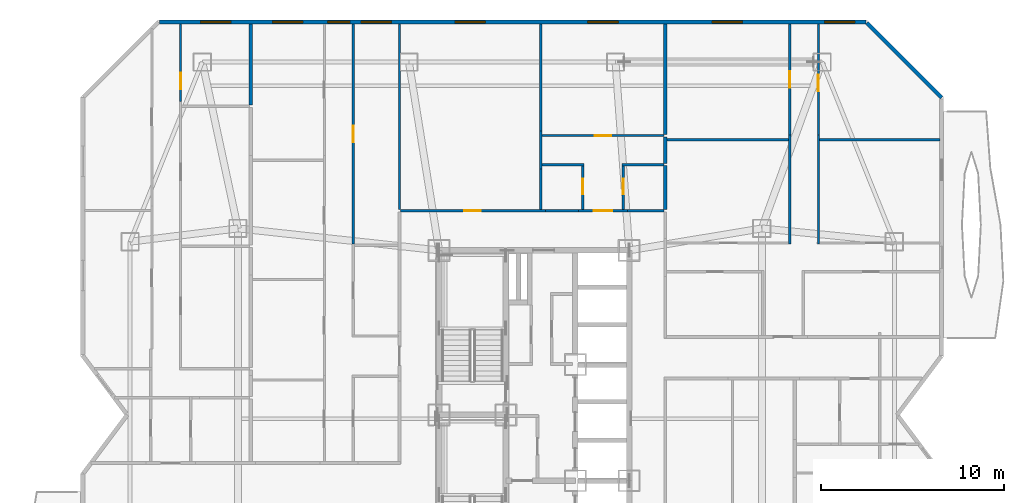
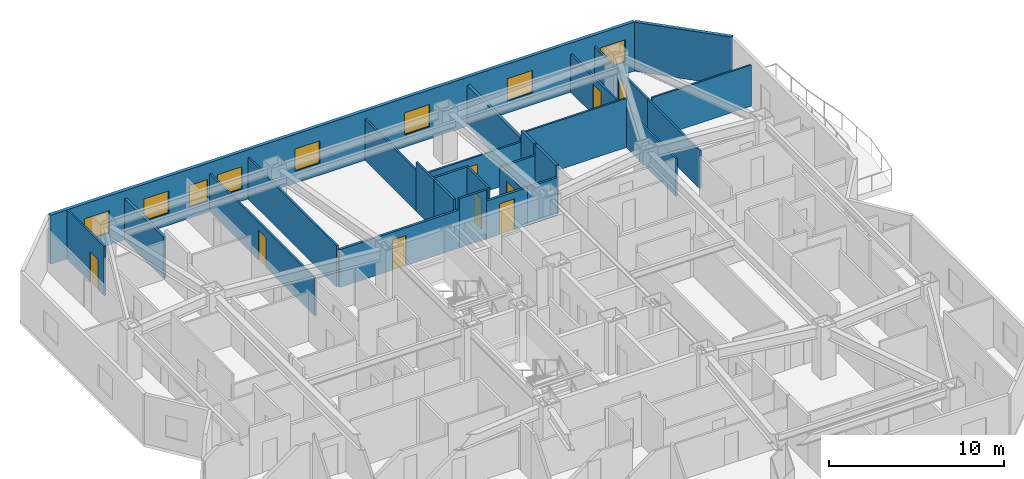
# One storey, part 12 of 15: 27 walls, 9 doors, 8 windows, 17 openings.
"""IFC4 building model written with IfcOpenShell, lengths in metres."""

from ifc_helpers import new_model, si_unit, direction, frame, frame_2d, origin, place, context, subcontext, project, spatial, rectangle, extrude, material, layer, layer_set, type_object, element, fill, save


model = new_model("IFC4")

# Units and contexts
model_context = context("Model", 3, precision=1e-05, world=origin(), true_north=direction((0.0, 1.0)))
body_context = subcontext(model_context, "Body", "Model", "MODEL_VIEW")
ifc_project = project(units=[si_unit("LENGTHUNIT", "METRE"), si_unit("AREAUNIT", "SQUARE_METRE"), si_unit("VOLUMEUNIT", "CUBIC_METRE"), si_unit("PLANEANGLEUNIT", "RADIAN"), si_unit("MASSUNIT", "GRAM", prefix="KILO")], contexts=[model_context])

# Site, building, storey
site_placement = place(None, origin())
site = spatial("IfcSite", under=ifc_project, at=site_placement, CompositionType="ELEMENT")
building_placement = place(site_placement, origin())
building = spatial("IfcBuilding", under=site, at=building_placement, Name="Khamvora Tower", CompositionType="ELEMENT")
storey_placement = place(building_placement, frame((0.0, 0.0, 112.85009765625)))
storey = spatial("IfcBuildingStorey", under=building, at=storey_placement, Name="L28", CompositionType="ELEMENT", Elevation=112.85009765625)

# Wall, opening, door
ifc_material_1 = material(Name="Fire-Rated Drywall and Steel Stud", Category="steel")
ifc_layer_1 = layer(ifc_material_1, 0.14990234375)
ifc_layer_set_1 = layer_set([ifc_layer_1], Name="Fire-Rated Drywall and Steel Stud")
wall_type_1 = type_object("IfcWallType", Name="WAL-CORR-150", PredefinedType="STANDARD", material=ifc_layer_set_1)
wall_1_placement = place(storey_placement, frame((26.89990234375, 39.1650390625, 0.0), z_axis=(0.0, 0.0, 1.0), x_axis=(1.0, 0.0, 0.0)))
wall_1 = element("IfcWall", 1, at=wall_1_placement, inside=storey, type_object=wall_type_1, Name="L28 interior partition wall 008", PredefinedType="STANDARD", context=body_context, shape_type="SweptSolid", body=[
    extrude(rectangle(XDim=7.9140625, YDim=0.14990234375, at=frame_2d((3.95703125, 0.0))), origin(), (0.0, 0.0, 1.0), 2.64697265625),
])
opening_1_placement = place(wall_1_placement, frame((3.486083984375, 0.0, 0.0)))
opening_1 = element("IfcOpeningElement", 2, at=opening_1_placement, cuts=wall_1, Name="Opening D-RM1", PredefinedType="OPENING", context=body_context, shape_type="SweptSolid", body=[
    extrude(rectangle(XDim=0.89990234375, YDim=2.10009765625, at=frame_2d((0.449951171875, 1.050048828125))), frame((0.0, 0.0849609375, 0.0), z_axis=(0.0, -1.0, 0.0), x_axis=(1.0, 0.0, 0.0)), (0.0, 0.0, 1.0), 0.169921875),
])
ifc_material_2 = material(Name="Powder-Coated Steel and Hardwood Leaf", Category="steel")
door_type_1 = type_object("IfcDoorType", Name="DOR-ROOM-900", OperationType="NOTDEFINED", PredefinedType="DOOR", material=ifc_material_2)
door_1_placement = place(opening_1_placement, origin())
door_1 = element("IfcDoor", 3, at=door_1_placement, inside=storey, type_object=door_type_1, Name="L28 interior door COR-RPLY", OperationType="SINGLE_SWING_LEFT", OverallHeight=2.10009765625, OverallWidth=0.89990234375, PredefinedType="DOOR", context=body_context, shape_type="SweptSolid", body=[
    extrude(rectangle(XDim=0.89990234375, YDim=2.10009765625, at=frame_2d((0.449951171875, 1.050048828125))), frame((0.0, 0.02490234375, 0.0), z_axis=(0.0, -1.0, 0.0), x_axis=(1.0, 0.0, 0.0)), (0.0, 0.0, 1.0), 0.050048828125),
])
fill(opening_1, door_1)

wall_2_placement = place(storey_placement, frame((36.615966796875, 39.1650390625, 0.0), z_axis=(0.0, 0.0, 1.0), x_axis=(1.0, 0.0, 0.0)))
wall_2 = element("IfcWall", 4, at=wall_2_placement, inside=storey, type_object=wall_type_1, Name="L28 interior partition wall 029", PredefinedType="STANDARD", context=body_context, shape_type="SweptSolid", body=[
    extrude(rectangle(XDim=2.697998046875, YDim=0.14990234375, at=frame_2d((1.34912109375, 0.0))), origin(), (0.0, 0.0, 1.0), 2.64697265625),
])
opening_2_placement = place(wall_2_placement, frame((0.84912109375, 0.0, 0.0)))
opening_2 = element("IfcOpeningElement", 5, at=opening_2_placement, cuts=wall_2, Name="Opening D-U1", PredefinedType="OPENING", context=body_context, shape_type="SweptSolid", body=[
    extrude(rectangle(XDim=1.0, YDim=2.14990234375, at=frame_2d((0.5, 1.074951171875))), frame((0.0, 0.0849609375, 0.0), z_axis=(0.0, -1.0, 0.0), x_axis=(1.0, 0.0, 0.0)), (0.0, 0.0, 1.0), 0.169921875),
])
door_type_2 = type_object("IfcDoorType", Name="DOR-UNIT-1000", OperationType="NOTDEFINED", PredefinedType="DOOR", material=ifc_material_2)
door_2_placement = place(opening_2_placement, origin())
door_2 = element("IfcDoor", 6, at=door_2_placement, inside=storey, type_object=door_type_2, Name="L28 interior door COR-28NAH", OperationType="SINGLE_SWING_RIGHT", OverallHeight=2.14990234375, OverallWidth=1.0, PredefinedType="DOOR", context=body_context, shape_type="SweptSolid", body=[
    extrude(rectangle(XDim=1.0, YDim=2.14990234375, at=frame_2d((0.5, 1.074951171875))), frame((0.0, 0.02490234375, 0.0), z_axis=(0.0, -1.0, 0.0), x_axis=(1.0, 0.0, 0.0)), (0.0, 0.0, 1.0), 0.050048828125),
])
fill(opening_2, door_2)

# Walls
wall_3_placement = place(storey_placement, frame((39.31396484375, 39.1650390625, 0.0), z_axis=(0.0, 0.0, 1.0), x_axis=(1.0, 0.0, 0.0)))
element("IfcWall", 7, at=wall_3_placement, inside=storey, type_object=wall_type_1, Name="L28 interior partition wall 030", PredefinedType="STANDARD", context=body_context, shape_type="SweptSolid", body=[
    extrude(rectangle(XDim=1.986083984375, YDim=0.14990234375, at=frame_2d((0.9931640625, 0.0))), origin(), (0.0, 0.0, 1.0), 2.64697265625),
])
wall_4_placement = place(storey_placement, frame((34.81396484375, 39.1650390625, 0.0), z_axis=(0.0, 0.0, 1.0), x_axis=(1.0, 0.0, 0.0)))
element("IfcWall", 8, at=wall_4_placement, inside=storey, type_object=wall_type_1, Name="L28 interior partition wall 031", PredefinedType="STANDARD", context=body_context, shape_type="SweptSolid", body=[
    extrude(rectangle(XDim=1.802001953125, YDim=0.14990234375, at=frame_2d((0.90087890625, 0.0))), origin(), (0.0, 0.0, 1.0), 3.429931640625),
])
ifc_material_3 = material(Name="Acoustic Double-Stud Fire Wall", Category="gypsum")
ifc_layer_2 = layer(ifc_material_3, 0.179931640625)
ifc_layer_set_2 = layer_set([ifc_layer_2], Name="Acoustic Double-Stud Fire Wall")
wall_type_2 = type_object("IfcWallType", Name="WAL-CORR-180", PredefinedType="STANDARD", material=ifc_layer_set_2)
wall_5_placement = place(storey_placement, frame((18.705078125, 49.387939453125, 0.0), z_axis=(0.0, 0.0, 1.0), x_axis=(0.0, -1.0, 0.0)))
element("IfcWall", 9, at=wall_5_placement, inside=storey, type_object=wall_type_2, Name="L28 interior partition wall 087", PredefinedType="STANDARD", context=body_context, shape_type="SweptSolid", body=[
    extrude(rectangle(XDim=4.44287109375, YDim=0.179931640625, at=frame_2d((2.221435546875, 0.0))), origin(), (0.0, 0.0, 1.0), 2.8759765625),
])
wall_6_placement = place(storey_placement, frame((41.364990234375, 43.2099609375, 0.0), z_axis=(0.0, 0.0, 1.0), x_axis=(0.0, -1.0, 0.0)))
element("IfcWall", 10, at=wall_6_placement, inside=storey, type_object=wall_type_2, Name="L28 interior partition wall 117", PredefinedType="STANDARD", context=body_context, shape_type="SweptSolid", body=[
    extrude(rectangle(XDim=1.449951171875, YDim=0.179931640625, at=frame_2d((0.72509765625, 0.0))), origin(), (0.0, 0.0, 1.0), 3.429931640625),
])
wall_7_placement = place(storey_placement, frame((41.364990234375, 41.6298828125, 0.0), z_axis=(0.0, 0.0, 1.0), x_axis=(0.0, -1.0, 0.0)))
element("IfcWall", 11, at=wall_7_placement, inside=storey, type_object=wall_type_2, Name="L28 interior partition wall 118", PredefinedType="STANDARD", context=body_context, shape_type="SweptSolid", body=[
    extrude(rectangle(XDim=2.39990234375, YDim=0.179931640625, at=frame_2d((1.199951171875, 0.0))), origin(), (0.0, 0.0, 1.0), 3.429931640625),
])
wall_8_placement = place(storey_placement, frame((41.364990234375, 49.387939453125, 0.0), z_axis=(0.0, 0.0, 1.0), x_axis=(0.0, -1.0, 0.0)))
element("IfcWall", 12, at=wall_8_placement, inside=storey, type_object=wall_type_2, Name="L28 interior partition wall 119", PredefinedType="STANDARD", context=body_context, shape_type="SweptSolid", body=[
    extrude(rectangle(XDim=6.0478515625, YDim=0.179931640625, at=frame_2d((3.02392578125, 0.0))), origin(), (0.0, 0.0, 1.0), 2.8759765625),
])

# Wall, openings, windows
ifc_material_4 = material(Name="Precast concrete C40/50", Category="concrete")
ifc_layer_3 = layer(ifc_material_4, 0.219970703125)
ifc_layer_set_3 = layer_set([ifc_layer_3], Name="Precast concrete C40/50")
wall_type_3 = type_object("IfcWallType", Name="WAL-EXT-220", PredefinedType="STANDARD", material=ifc_layer_set_3)
wall_9_placement = place(storey_placement, frame((13.715087890625, 49.489990234375, 0.0), z_axis=(0.0, 0.0, 1.0), x_axis=(1.0, 0.0, 0.0)))
wall_9 = element("IfcWall", 13, at=wall_9_placement, inside=storey, type_object=wall_type_3, Name="L28 exterior facade wall 07.1", PredefinedType="STANDARD", context=body_context, shape_type="SweptSolid", body=[
    extrude(rectangle(XDim=38.638916015625, YDim=0.219970703125, at=frame_2d((19.3193359375, 0.0))), origin(), (0.0, 0.0, 1.0), 3.429931640625),
])
opening_3_placement = place(wall_9_placement, frame((16.159912109375, 0.0, 0.85009765625)))
opening_3 = element("IfcOpeningElement", 14, at=opening_3_placement, cuts=wall_9, Name="Opening WN-06", PredefinedType="OPENING", context=body_context, shape_type="SweptSolid", body=[
    extrude(rectangle(XDim=1.64990234375, YDim=1.550048828125, at=frame_2d((0.824951171875, 0.77490234375))), frame((0.0, 0.119873046875, 0.0), z_axis=(0.0, -1.0, 0.0), x_axis=(1.0, 0.0, 0.0)), (0.0, 0.0, 1.0), 0.239990234375),
])
opening_4_placement = place(wall_9_placement, frame((2.242919921875, 0.0, 0.85009765625)))
opening_4 = element("IfcOpeningElement", 15, at=opening_4_placement, cuts=wall_9, Name="Opening WN-06", PredefinedType="OPENING", context=body_context, shape_type="SweptSolid", body=[
    extrude(rectangle(XDim=1.64990234375, YDim=1.550048828125, at=frame_2d((0.824951171875, 0.77490234375))), frame((0.0, 0.119873046875, 0.0), z_axis=(0.0, -1.0, 0.0), x_axis=(1.0, 0.0, 0.0)), (0.0, 0.0, 1.0), 0.239990234375),
])
opening_5_placement = place(wall_9_placement, frame((11.030029296875, 0.0, 0.85009765625)))
opening_5 = element("IfcOpeningElement", 16, at=opening_5_placement, cuts=wall_9, Name="Opening WN-06", PredefinedType="OPENING", context=body_context, shape_type="SweptSolid", body=[
    extrude(rectangle(XDim=1.64990234375, YDim=1.550048828125, at=frame_2d((0.824951171875, 0.77490234375))), frame((0.0, 0.119873046875, 0.0), z_axis=(0.0, -1.0, 0.0), x_axis=(1.0, 0.0, 0.0)), (0.0, 0.0, 1.0), 0.239990234375),
])
opening_6_placement = place(wall_9_placement, frame((9.199951171875, 0.0, 0.800048828125)))
opening_6 = element("IfcOpeningElement", 17, at=opening_6_placement, cuts=wall_9, Name="Opening WN-03", PredefinedType="OPENING", context=body_context, shape_type="SweptSolid", body=[
    extrude(rectangle(XDim=1.199951171875, YDim=1.5, at=frame_2d((0.60009765625, 0.75))), frame((0.0, 0.119873046875, 0.0), z_axis=(0.0, -1.0, 0.0), x_axis=(1.0, 0.0, 0.0)), (0.0, 0.0, 1.0), 0.239990234375),
])
opening_7_placement = place(wall_9_placement, frame((6.175048828125, 0.0, 0.85009765625)))
opening_7 = element("IfcOpeningElement", 18, at=opening_7_placement, cuts=wall_9, Name="Opening WN-06", PredefinedType="OPENING", context=body_context, shape_type="SweptSolid", body=[
    extrude(rectangle(XDim=1.64990234375, YDim=1.550048828125, at=frame_2d((0.824951171875, 0.77490234375))), frame((0.0, 0.119873046875, 0.0), z_axis=(0.0, -1.0, 0.0), x_axis=(1.0, 0.0, 0.0)), (0.0, 0.0, 1.0), 0.239990234375),
])
opening_8_placement = place(wall_9_placement, frame((23.425048828125, 0.0, 0.85009765625)))
opening_8 = element("IfcOpeningElement", 19, at=opening_8_placement, cuts=wall_9, Name="Opening WN-06", PredefinedType="OPENING", context=body_context, shape_type="SweptSolid", body=[
    extrude(rectangle(XDim=1.64990234375, YDim=1.550048828125, at=frame_2d((0.824951171875, 0.77490234375))), frame((0.0, 0.119873046875, 0.0), z_axis=(0.0, -1.0, 0.0), x_axis=(1.0, 0.0, 0.0)), (0.0, 0.0, 1.0), 0.239990234375),
])
opening_9_placement = place(wall_9_placement, frame((30.22998046875, 0.0, 0.85009765625)))
opening_9 = element("IfcOpeningElement", 20, at=opening_9_placement, cuts=wall_9, Name="Opening WN-06", PredefinedType="OPENING", context=body_context, shape_type="SweptSolid", body=[
    extrude(rectangle(XDim=1.64990234375, YDim=1.550048828125, at=frame_2d((0.824951171875, 0.77490234375))), frame((0.0, 0.119873046875, 0.0), z_axis=(0.0, -1.0, 0.0), x_axis=(1.0, 0.0, 0.0)), (0.0, 0.0, 1.0), 0.239990234375),
])
opening_10_placement = place(wall_9_placement, frame((36.366943359375, 0.0, 0.85009765625)))
opening_10 = element("IfcOpeningElement", 21, at=opening_10_placement, cuts=wall_9, Name="Opening WN-06", PredefinedType="OPENING", context=body_context, shape_type="SweptSolid", body=[
    extrude(rectangle(XDim=1.64990234375, YDim=1.550048828125, at=frame_2d((0.824951171875, 0.77490234375))), frame((0.0, 0.119873046875, 0.0), z_axis=(0.0, -1.0, 0.0), x_axis=(1.0, 0.0, 0.0)), (0.0, 0.0, 1.0), 0.239990234375),
])
ifc_material_5 = material(Name="Low-E Laminated Double Glazing", Category="glass")
window_type_1 = type_object("IfcWindowType", Name="WIN-VIS-1200x1500", PartitioningType="SINGLE_PANEL", PredefinedType="WINDOW", material=ifc_material_5)
window_1_placement = place(opening_6_placement, origin())
window_1 = element("IfcWindow", 22, at=window_1_placement, inside=storey, type_object=window_type_1, Name="L28 vision window 07.1.04", OverallHeight=1.5, OverallWidth=1.199951171875, PartitioningType="SINGLE_PANEL", PredefinedType="WINDOW", context=body_context, shape_type="SweptSolid", body=[
    extrude(rectangle(XDim=1.199951171875, YDim=1.5, at=frame_2d((0.60009765625, 0.75))), frame((0.0, 0.030029296875, 0.0), z_axis=(0.0, -1.0, 0.0), x_axis=(1.0, 0.0, 0.0)), (0.0, 0.0, 1.0), 0.06005859375),
])
fill(opening_6, window_1)
window_type_2 = type_object("IfcWindowType", Name="WIN-VIS-1650x1550", PartitioningType="SINGLE_PANEL", PredefinedType="WINDOW", material=ifc_material_5)
window_2_placement = place(opening_3_placement, origin())
window_2 = element("IfcWindow", 23, at=window_2_placement, inside=storey, type_object=window_type_2, Name="L28 vision window 07.1.01", OverallHeight=1.550048828125, OverallWidth=1.64990234375, PartitioningType="SINGLE_PANEL", PredefinedType="WINDOW", context=body_context, shape_type="SweptSolid", body=[
    extrude(rectangle(XDim=1.64990234375, YDim=1.550048828125, at=frame_2d((0.824951171875, 0.77490234375))), frame((0.0, 0.030029296875, 0.0), z_axis=(0.0, -1.0, 0.0), x_axis=(1.0, 0.0, 0.0)), (0.0, 0.0, 1.0), 0.06005859375),
])
fill(opening_3, window_2)
window_3_placement = place(opening_4_placement, origin())
window_3 = element("IfcWindow", 24, at=window_3_placement, inside=storey, type_object=window_type_2, Name="L28 vision window 07.1.02", OverallHeight=1.550048828125, OverallWidth=1.64990234375, PartitioningType="SINGLE_PANEL", PredefinedType="WINDOW", context=body_context, shape_type="SweptSolid", body=[
    extrude(rectangle(XDim=1.64990234375, YDim=1.550048828125, at=frame_2d((0.824951171875, 0.77490234375))), frame((0.0, 0.030029296875, 0.0), z_axis=(0.0, -1.0, 0.0), x_axis=(1.0, 0.0, 0.0)), (0.0, 0.0, 1.0), 0.06005859375),
])
fill(opening_4, window_3)
window_4_placement = place(opening_5_placement, origin())
window_4 = element("IfcWindow", 25, at=window_4_placement, inside=storey, type_object=window_type_2, Name="L28 vision window 07.1.03", OverallHeight=1.550048828125, OverallWidth=1.64990234375, PartitioningType="SINGLE_PANEL", PredefinedType="WINDOW", context=body_context, shape_type="SweptSolid", body=[
    extrude(rectangle(XDim=1.64990234375, YDim=1.550048828125, at=frame_2d((0.824951171875, 0.77490234375))), frame((0.0, 0.030029296875, 0.0), z_axis=(0.0, -1.0, 0.0), x_axis=(1.0, 0.0, 0.0)), (0.0, 0.0, 1.0), 0.06005859375),
])
fill(opening_5, window_4)
window_5_placement = place(opening_7_placement, origin())
window_5 = element("IfcWindow", 26, at=window_5_placement, inside=storey, type_object=window_type_2, Name="L28 vision window 07.1.05", OverallHeight=1.550048828125, OverallWidth=1.64990234375, PartitioningType="SINGLE_PANEL", PredefinedType="WINDOW", context=body_context, shape_type="SweptSolid", body=[
    extrude(rectangle(XDim=1.64990234375, YDim=1.550048828125, at=frame_2d((0.824951171875, 0.77490234375))), frame((0.0, 0.030029296875, 0.0), z_axis=(0.0, -1.0, 0.0), x_axis=(1.0, 0.0, 0.0)), (0.0, 0.0, 1.0), 0.06005859375),
])
fill(opening_7, window_5)
window_6_placement = place(opening_8_placement, origin())
window_6 = element("IfcWindow", 27, at=window_6_placement, inside=storey, type_object=window_type_2, Name="L28 vision window 07.1.06", OverallHeight=1.550048828125, OverallWidth=1.64990234375, PartitioningType="SINGLE_PANEL", PredefinedType="WINDOW", context=body_context, shape_type="SweptSolid", body=[
    extrude(rectangle(XDim=1.64990234375, YDim=1.550048828125, at=frame_2d((0.824951171875, 0.77490234375))), frame((0.0, 0.030029296875, 0.0), z_axis=(0.0, -1.0, 0.0), x_axis=(1.0, 0.0, 0.0)), (0.0, 0.0, 1.0), 0.06005859375),
])
fill(opening_8, window_6)
window_7_placement = place(opening_9_placement, origin())
window_7 = element("IfcWindow", 28, at=window_7_placement, inside=storey, type_object=window_type_2, Name="L28 vision window 07.1.07", OverallHeight=1.550048828125, OverallWidth=1.64990234375, PartitioningType="SINGLE_PANEL", PredefinedType="WINDOW", context=body_context, shape_type="SweptSolid", body=[
    extrude(rectangle(XDim=1.64990234375, YDim=1.550048828125, at=frame_2d((0.824951171875, 0.77490234375))), frame((0.0, 0.030029296875, 0.0), z_axis=(0.0, -1.0, 0.0), x_axis=(1.0, 0.0, 0.0)), (0.0, 0.0, 1.0), 0.06005859375),
])
fill(opening_9, window_7)
window_8_placement = place(opening_10_placement, origin())
window_8 = element("IfcWindow", 29, at=window_8_placement, inside=storey, type_object=window_type_2, Name="L28 vision window 07.1.08", OverallHeight=1.550048828125, OverallWidth=1.64990234375, PartitioningType="SINGLE_PANEL", PredefinedType="WINDOW", context=body_context, shape_type="SweptSolid", body=[
    extrude(rectangle(XDim=1.64990234375, YDim=1.550048828125, at=frame_2d((0.824951171875, 0.77490234375))), frame((0.0, 0.030029296875, 0.0), z_axis=(0.0, -1.0, 0.0), x_axis=(1.0, 0.0, 0.0)), (0.0, 0.0, 1.0), 0.06005859375),
])
fill(opening_10, window_8)

# Walls
wall_10_placement = place(storey_placement, frame((52.402099609375, 49.44189453125, 0.0), z_axis=(0.0, 0.0, 1.0), x_axis=(0.707106781187, -0.707106781187, 0.0)))
element("IfcWall", 30, at=wall_10_placement, inside=storey, type_object=wall_type_3, Name="L28 exterior facade wall 08.1", PredefinedType="STANDARD", context=body_context, shape_type="SweptSolid", body=[
    extrude(rectangle(XDim=5.78125, YDim=0.219970703125, at=frame_2d((2.890625, 0.0))), origin(), (0.0, 0.0, 1.0), 3.429931640625),
])
ifc_material_6 = material(Name="Gypsum Plasterboard Partition", Category="gypsum")
ifc_layer_4 = layer(ifc_material_6, 0.1201171875)
ifc_layer_set_4 = layer_set([ifc_layer_4], Name="Gypsum Plasterboard Partition")
wall_type_4 = type_object("IfcWallType", Name="WAL-PART-120", PredefinedType="PARTITIONING", material=ifc_layer_set_4)
wall_11_placement = place(storey_placement, frame((26.8349609375, 39.22998046875, 0.0), z_axis=(0.0, 0.0, 1.0), x_axis=(0.0, 1.0, 0.0)))
element("IfcWall", 31, at=wall_11_placement, inside=storey, type_object=wall_type_4, Name="L28 interior partition wall 044", PredefinedType="PARTITIONING", context=body_context, shape_type="SweptSolid", body=[
    extrude(rectangle(XDim=10.157958984375, YDim=0.1201171875, at=frame_2d((5.0791015625, 0.0))), origin(), (0.0, 0.0, 1.0), 2.8759765625),
])
wall_12_placement = place(storey_placement, frame((34.56494140625, 43.52392578125, 0.0), z_axis=(0.0, 0.0, 1.0), x_axis=(0.0, -1.0, 0.0)))
element("IfcWall", 32, at=wall_12_placement, inside=storey, type_object=wall_type_4, Name="L28 interior partition wall 045", PredefinedType="PARTITIONING", context=body_context, shape_type="SweptSolid", body=[
    extrude(rectangle(XDim=2.077880859375, YDim=0.1201171875, at=frame_2d((1.0390625, 0.0))), origin(), (0.0, 0.0, 1.0), 3.429931640625),
])
wall_13_placement = place(storey_placement, frame((34.56494140625, 49.387939453125, 0.0), z_axis=(0.0, 0.0, 1.0), x_axis=(0.0, -1.0, 0.0)))
element("IfcWall", 33, at=wall_13_placement, inside=storey, type_object=wall_type_4, Name="L28 interior partition wall 047", PredefinedType="PARTITIONING", context=body_context, shape_type="SweptSolid", body=[
    extrude(rectangle(XDim=5.864013671875, YDim=0.1201171875, at=frame_2d((2.93212890625, 0.0))), origin(), (0.0, 0.0, 1.0), 2.8759765625),
])

# Wall, opening, door
wall_14_placement = place(storey_placement, frame((14.860107421875, 49.387939453125, 0.0), z_axis=(0.0, 0.0, 1.0), x_axis=(0.0, -1.0, 0.0)))
wall_14 = element("IfcWall", 34, at=wall_14_placement, inside=storey, type_object=wall_type_4, Name="L28 interior partition wall 076", PredefinedType="PARTITIONING", context=body_context, shape_type="SweptSolid", body=[
    extrude(rectangle(XDim=4.259033203125, YDim=0.1201171875, at=frame_2d((2.12939453125, 0.0))), origin(), (0.0, 0.0, 1.0), 3.429931640625),
])
opening_11_placement = place(wall_14_placement, frame((2.673095703125, 0.0, 0.0)))
opening_11 = element("IfcOpeningElement", 35, at=opening_11_placement, cuts=wall_14, Name="Opening D-RM1", PredefinedType="OPENING", context=body_context, shape_type="SweptSolid", body=[
    extrude(rectangle(XDim=0.89990234375, YDim=2.10009765625, at=frame_2d((0.449951171875, 1.050048828125))), frame((0.0, 0.070068359375, 0.0), z_axis=(0.0, -1.0, 0.0), x_axis=(1.0, 0.0, 0.0)), (0.0, 0.0, 1.0), 0.14013671875),
])
door_3_placement = place(opening_11_placement, origin())
door_3 = element("IfcDoor", 36, at=door_3_placement, inside=storey, type_object=door_type_1, Name="L28 interior door 28WBH-28WBR5", OperationType="SINGLE_SWING_RIGHT", OverallHeight=2.10009765625, OverallWidth=0.89990234375, PredefinedType="DOOR", context=body_context, shape_type="SweptSolid", body=[
    extrude(rectangle(XDim=0.89990234375, YDim=2.10009765625, at=frame_2d((0.449951171875, 1.050048828125))), frame((0.0, 0.02490234375, 0.0), z_axis=(0.0, -1.0, 0.0), x_axis=(1.0, 0.0, 0.0)), (0.0, 0.0, 1.0), 0.050048828125),
])
fill(opening_11, door_3)

wall_15_placement = place(storey_placement, frame((24.304931640625, 37.345947265625, 0.0), z_axis=(0.0, 0.0, 1.0), x_axis=(0.0, 1.0, 0.0)))
wall_15 = element("IfcWall", 37, at=wall_15_placement, inside=storey, type_object=wall_type_4, Name="L28 interior partition wall 088", PredefinedType="PARTITIONING", context=body_context, shape_type="SweptSolid", body=[
    extrude(rectangle(XDim=12.0419921875, YDim=0.1201171875, at=frame_2d((6.02099609375, 0.0))), origin(), (0.0, 0.0, 1.0), 2.64697265625),
])
opening_12_placement = place(wall_15_placement, frame((5.571044921875, 0.0, 0.0)))
opening_12 = element("IfcOpeningElement", 38, at=opening_12_placement, cuts=wall_15, Name="Opening D-RM1", PredefinedType="OPENING", context=body_context, shape_type="SweptSolid", body=[
    extrude(rectangle(XDim=0.89990234375, YDim=2.10009765625, at=frame_2d((0.449951171875, 1.050048828125))), frame((0.0, 0.070068359375, 0.0), z_axis=(0.0, -1.0, 0.0), x_axis=(1.0, 0.0, 0.0)), (0.0, 0.0, 1.0), 0.14013671875),
])
door_4_placement = place(opening_12_placement, origin())
door_4 = element("IfcDoor", 39, at=door_4_placement, inside=storey, type_object=door_type_1, Name="L28 interior door 28WCW2-28WCH", OperationType="SINGLE_SWING_RIGHT", OverallHeight=2.10009765625, OverallWidth=0.89990234375, PredefinedType="DOOR", context=body_context, shape_type="SweptSolid", body=[
    extrude(rectangle(XDim=0.89990234375, YDim=2.10009765625, at=frame_2d((0.449951171875, 1.050048828125))), frame((0.0, 0.02490234375, 0.0), z_axis=(0.0, -1.0, 0.0), x_axis=(1.0, 0.0, 0.0)), (0.0, 0.0, 1.0), 0.050048828125),
])
fill(opening_12, door_4)

wall_16_placement = place(storey_placement, frame((34.618896484375, 43.27490234375, 0.0), z_axis=(0.0, 0.0, 1.0), x_axis=(1.0, 0.0, 0.0)))
wall_16 = element("IfcWall", 40, at=wall_16_placement, inside=storey, type_object=wall_type_4, Name="L28 interior partition wall 116", PredefinedType="PARTITIONING", context=body_context, shape_type="SweptSolid", body=[
    extrude(rectangle(XDim=6.68115234375, YDim=0.1201171875, at=frame_2d((3.340576171875, 0.0))), origin(), (0.0, 0.0, 1.0), 2.64697265625),
])
opening_13_placement = place(wall_16_placement, frame((2.889892578125, 0.0, 0.0)))
opening_13 = element("IfcOpeningElement", 41, at=opening_13_placement, cuts=wall_16, Name="Opening D-RM1", PredefinedType="OPENING", context=body_context, shape_type="SweptSolid", body=[
    extrude(rectangle(XDim=0.89990234375, YDim=2.10009765625, at=frame_2d((0.449951171875, 1.050048828125))), frame((0.0, 0.070068359375, 0.0), z_axis=(0.0, -1.0, 0.0), x_axis=(1.0, 0.0, 0.0)), (0.0, 0.0, 1.0), 0.14013671875),
])
door_5_placement = place(opening_13_placement, origin())
door_5 = element("IfcDoor", 42, at=door_5_placement, inside=storey, type_object=door_type_1, Name="L28 interior door 28NAH-28NAR1", OperationType="SINGLE_SWING_LEFT", OverallHeight=2.10009765625, OverallWidth=0.89990234375, PredefinedType="DOOR", context=body_context, shape_type="SweptSolid", body=[
    extrude(rectangle(XDim=0.89990234375, YDim=2.10009765625, at=frame_2d((0.449951171875, 1.050048828125))), frame((0.0, 0.02490234375, 0.0), z_axis=(0.0, -1.0, 0.0), x_axis=(1.0, 0.0, 0.0)), (0.0, 0.0, 1.0), 0.050048828125),
])
fill(opening_13, door_5)

# Wall
wall_17_placement = place(storey_placement, frame((48.175048828125, 37.339111328125, 0.0), z_axis=(0.0, 0.0, 1.0), x_axis=(0.0, 1.0, 0.0)))
element("IfcWall", 43, at=wall_17_placement, inside=storey, type_object=wall_type_4, Name="L28 interior partition wall 149", PredefinedType="PARTITIONING", context=body_context, shape_type="SweptSolid", body=[
    extrude(rectangle(XDim=5.962890625, YDim=0.1201171875, at=frame_2d((2.9814453125, 0.0))), origin(), (0.0, 0.0, 1.0), 2.64697265625),
])

# Wall, opening, door
wall_18_placement = place(storey_placement, frame((48.175048828125, 43.302001953125, 0.0), z_axis=(0.0, 0.0, 1.0), x_axis=(0.0, 1.0, 0.0)))
wall_18 = element("IfcWall", 44, at=wall_18_placement, inside=storey, type_object=wall_type_4, Name="L28 interior partition wall 150", PredefinedType="PARTITIONING", context=body_context, shape_type="SweptSolid", body=[
    extrude(rectangle(XDim=6.0859375, YDim=0.1201171875, at=frame_2d((3.04296875, 0.0))), origin(), (0.0, 0.0, 1.0), 2.64697265625),
])
opening_14_placement = place(wall_18_placement, frame((2.593017578125, 0.0, 0.0)))
opening_14 = element("IfcOpeningElement", 45, at=opening_14_placement, cuts=wall_18, Name="Opening D-RM1", PredefinedType="OPENING", context=body_context, shape_type="SweptSolid", body=[
    extrude(rectangle(XDim=0.89990234375, YDim=2.10009765625, at=frame_2d((0.449951171875, 1.050048828125))), frame((0.0, 0.070068359375, 0.0), z_axis=(0.0, -1.0, 0.0), x_axis=(1.0, 0.0, 0.0)), (0.0, 0.0, 1.0), 0.14013671875),
])
door_6_placement = place(opening_14_placement, origin())
door_6 = element("IfcDoor", 46, at=door_6_placement, inside=storey, type_object=door_type_1, Name="L28 interior door 28ECH-28ECR2", OperationType="SINGLE_SWING_RIGHT", OverallHeight=2.10009765625, OverallWidth=0.89990234375, PredefinedType="DOOR", context=body_context, shape_type="SweptSolid", body=[
    extrude(rectangle(XDim=0.89990234375, YDim=2.10009765625, at=frame_2d((0.449951171875, 1.050048828125))), frame((0.0, 0.02490234375, 0.0), z_axis=(0.0, -1.0, 0.0), x_axis=(1.0, 0.0, 0.0)), (0.0, 0.0, 1.0), 0.050048828125),
])
fill(opening_14, door_6)

# Wall
wall_19_placement = place(storey_placement, frame((49.7451171875, 43.302001953125, 0.0), z_axis=(0.0, 0.0, 1.0), x_axis=(0.0, -1.0, 0.0)))
element("IfcWall", 47, at=wall_19_placement, inside=storey, type_object=wall_type_4, Name="L28 interior partition wall 151", PredefinedType="PARTITIONING", context=body_context, shape_type="SweptSolid", body=[
    extrude(rectangle(XDim=5.962890625, YDim=0.1201171875, at=frame_2d((2.9814453125, 0.0))), origin(), (0.0, 0.0, 1.0), 2.64697265625),
])

# Wall, opening, door
wall_20_placement = place(storey_placement, frame((49.7451171875, 49.387939453125, 0.0), z_axis=(0.0, 0.0, 1.0), x_axis=(0.0, -1.0, 0.0)))
wall_20 = element("IfcWall", 48, at=wall_20_placement, inside=storey, type_object=wall_type_4, Name="L28 interior partition wall 153", PredefinedType="PARTITIONING", context=body_context, shape_type="SweptSolid", body=[
    extrude(rectangle(XDim=6.0859375, YDim=0.1201171875, at=frame_2d((3.04296875, 0.0))), origin(), (0.0, 0.0, 1.0), 2.64697265625),
])
opening_15_placement = place(wall_20_placement, frame((2.787109375, 0.0, 0.0)))
opening_15 = element("IfcOpeningElement", 49, at=opening_15_placement, cuts=wall_20, Name="Opening D-RM1", PredefinedType="OPENING", context=body_context, shape_type="SweptSolid", body=[
    extrude(rectangle(XDim=0.89990234375, YDim=2.10009765625, at=frame_2d((0.449951171875, 1.050048828125))), frame((0.0, 0.070068359375, 0.0), z_axis=(0.0, -1.0, 0.0), x_axis=(1.0, 0.0, 0.0)), (0.0, 0.0, 1.0), 0.14013671875),
])
door_7_placement = place(opening_15_placement, origin())
door_7 = element("IfcDoor", 50, at=door_7_placement, inside=storey, type_object=door_type_1, Name="L28 interior door 28ECH-28ECR4", OperationType="SINGLE_SWING_RIGHT", OverallHeight=2.10009765625, OverallWidth=0.89990234375, PredefinedType="DOOR", context=body_context, shape_type="SweptSolid", body=[
    extrude(rectangle(XDim=0.89990234375, YDim=2.10009765625, at=frame_2d((0.449951171875, 1.050048828125))), frame((0.0, 0.02490234375, 0.0), z_axis=(0.0, -1.0, 0.0), x_axis=(1.0, 0.0, 0.0)), (0.0, 0.0, 1.0), 0.050048828125),
])
fill(opening_15, door_7)

# Walls
wall_21_placement = place(storey_placement, frame((41.447021484375, 43.052978515625, 0.0), z_axis=(0.0, 0.0, 1.0), x_axis=(1.0, 0.0, 0.0)))
element("IfcWall", 51, at=wall_21_placement, inside=storey, type_object=wall_type_4, Name="L28 interior partition wall 154", PredefinedType="PARTITIONING", context=body_context, shape_type="SweptSolid", body=[
    extrude(rectangle(XDim=6.674072265625, YDim=0.1201171875, at=frame_2d((3.3369140625, 0.0))), origin(), (0.0, 0.0, 1.0), 3.429931640625),
])
wall_22_placement = place(storey_placement, frame((49.799072265625, 43.052978515625, 0.0), z_axis=(0.0, 0.0, 1.0), x_axis=(1.0, 0.0, 0.0)))
element("IfcWall", 52, at=wall_22_placement, inside=storey, type_object=wall_type_4, Name="L28 interior partition wall 155", PredefinedType="PARTITIONING", context=body_context, shape_type="SweptSolid", body=[
    extrude(rectangle(XDim=6.5888671875, YDim=0.1201171875, at=frame_2d((3.29443359375, 0.0))), origin(), (0.0, 0.0, 1.0), 2.8759765625),
])
ifc_material_7 = material(Name="Moisture-Resistant Plasterboard Partition", Category="gypsum")
ifc_layer_5 = layer(ifc_material_7, 0.135009765625)
ifc_layer_set_5 = layer_set([ifc_layer_5], Name="Moisture-Resistant Plasterboard Partition")
wall_type_5 = type_object("IfcWallType", Name="WAL-WET-135", PredefinedType="PARTITIONING", material=ifc_layer_set_5)
wall_23_placement = place(storey_placement, frame((34.56494140625, 41.446044921875, 0.0), z_axis=(0.0, 0.0, 1.0), x_axis=(0.0, -1.0, 0.0)))
element("IfcWall", 53, at=wall_23_placement, inside=storey, type_object=wall_type_5, Name="L28 interior partition wall 046", PredefinedType="PARTITIONING", context=body_context, shape_type="SweptSolid", body=[
    extrude(rectangle(XDim=2.214111328125, YDim=0.135009765625, at=frame_2d((1.10693359375, 0.0))), origin(), (0.0, 0.0, 1.0), 3.429931640625),
])
wall_24_placement = place(storey_placement, frame((41.300048828125, 41.695068359375, 0.0), z_axis=(0.0, 0.0, 1.0), x_axis=(-1.0, 0.0, 0.0)))
element("IfcWall", 54, at=wall_24_placement, inside=storey, type_object=wall_type_5, Name="L28 interior partition wall 112", PredefinedType="PARTITIONING", context=body_context, shape_type="SweptSolid", body=[
    extrude(rectangle(XDim=2.300048828125, YDim=0.135009765625, at=frame_2d((1.14990234375, 0.0))), origin(), (0.0, 0.0, 1.0), 2.64697265625),
])

# Wall, opening, door
wall_25_placement = place(storey_placement, frame((39.06494140625, 41.760009765625, 0.0), z_axis=(0.0, 0.0, 1.0), x_axis=(0.0, -1.0, 0.0)))
wall_25 = element("IfcWall", 55, at=wall_25_placement, inside=storey, type_object=wall_type_5, Name="L28 interior partition wall 113", PredefinedType="PARTITIONING", context=body_context, shape_type="SweptSolid", body=[
    extrude(rectangle(XDim=2.528076171875, YDim=0.135009765625, at=frame_2d((1.26416015625, 0.0))), origin(), (0.0, 0.0, 1.0), 2.64697265625),
])
opening_16_placement = place(wall_25_placement, frame((0.839111328125, 0.0, 0.0)))
opening_16 = element("IfcOpeningElement", 56, at=opening_16_placement, cuts=wall_25, Name="Opening D-WC1", PredefinedType="OPENING", context=body_context, shape_type="SweptSolid", body=[
    extrude(rectangle(XDim=0.85009765625, YDim=2.10009765625, at=frame_2d((0.425048828125, 1.050048828125))), frame((0.0, 0.077392578125, 0.0), z_axis=(0.0, -1.0, 0.0), x_axis=(1.0, 0.0, 0.0)), (0.0, 0.0, 1.0), 0.155029296875),
])
door_type_3 = type_object("IfcDoorType", Name="DOR-WET-850", OperationType="NOTDEFINED", PredefinedType="DOOR", material=ifc_material_2)
door_8_placement = place(opening_16_placement, origin())
door_8 = element("IfcDoor", 57, at=door_8_placement, inside=storey, type_object=door_type_3, Name="L28 interior door 28NAH-28NAB", OperationType="SINGLE_SWING_LEFT", OverallHeight=2.10009765625, OverallWidth=0.85009765625, PredefinedType="DOOR", context=body_context, shape_type="SweptSolid", body=[
    extrude(rectangle(XDim=0.85009765625, YDim=2.10009765625, at=frame_2d((0.425048828125, 1.050048828125))), frame((0.0, 0.02490234375, 0.0), z_axis=(0.0, -1.0, 0.0), x_axis=(1.0, 0.0, 0.0)), (0.0, 0.0, 1.0), 0.050048828125),
])
fill(opening_16, door_8)

wall_26_placement = place(storey_placement, frame((36.864990234375, 39.23193359375, 0.0), z_axis=(0.0, 0.0, 1.0), x_axis=(0.0, 1.0, 0.0)))
wall_26 = element("IfcWall", 58, at=wall_26_placement, inside=storey, type_object=wall_type_5, Name="L28 interior partition wall 114", PredefinedType="PARTITIONING", context=body_context, shape_type="SweptSolid", body=[
    extrude(rectangle(XDim=2.528076171875, YDim=0.135009765625, at=frame_2d((1.26416015625, 0.0))), origin(), (0.0, 0.0, 1.0), 3.429931640625),
])
opening_17_placement = place(wall_26_placement, frame((0.839111328125, 0.0, 0.0)))
opening_17 = element("IfcOpeningElement", 59, at=opening_17_placement, cuts=wall_26, Name="Opening D-RM2", PredefinedType="OPENING", context=body_context, shape_type="SweptSolid", body=[
    extrude(rectangle(XDim=0.85009765625, YDim=2.10009765625, at=frame_2d((0.425048828125, 1.050048828125))), frame((0.0, 0.077392578125, 0.0), z_axis=(0.0, -1.0, 0.0), x_axis=(1.0, 0.0, 0.0)), (0.0, 0.0, 1.0), 0.155029296875),
])
door_type_4 = type_object("IfcDoorType", Name="DOR-ROOM-850", OperationType="NOTDEFINED", PredefinedType="DOOR", material=ifc_material_2)
door_9_placement = place(opening_17_placement, origin())
door_9 = element("IfcDoor", 60, at=door_9_placement, inside=storey, type_object=door_type_4, Name="L28 interior door 28NAH-28NAK", OperationType="SINGLE_SWING_RIGHT", OverallHeight=2.10009765625, OverallWidth=0.85009765625, PredefinedType="DOOR", context=body_context, shape_type="SweptSolid", body=[
    extrude(rectangle(XDim=0.85009765625, YDim=2.10009765625, at=frame_2d((0.425048828125, 1.050048828125))), frame((0.0, 0.02490234375, 0.0), z_axis=(0.0, -1.0, 0.0), x_axis=(1.0, 0.0, 0.0)), (0.0, 0.0, 1.0), 0.050048828125),
])
fill(opening_17, door_9)

# Wall
wall_27_placement = place(storey_placement, frame((36.929931640625, 41.695068359375, 0.0), z_axis=(0.0, 0.0, 1.0), x_axis=(-1.0, 0.0, 0.0)))
element("IfcWall", 61, at=wall_27_placement, inside=storey, type_object=wall_type_5, Name="L28 interior partition wall 115", PredefinedType="PARTITIONING", context=body_context, shape_type="SweptSolid", body=[
    extrude(rectangle(XDim=2.31103515625, YDim=0.135009765625, at=frame_2d((1.155517578125, 0.0))), origin(), (0.0, 0.0, 1.0), 3.429931640625),
])

save(model, "model.ifc")
